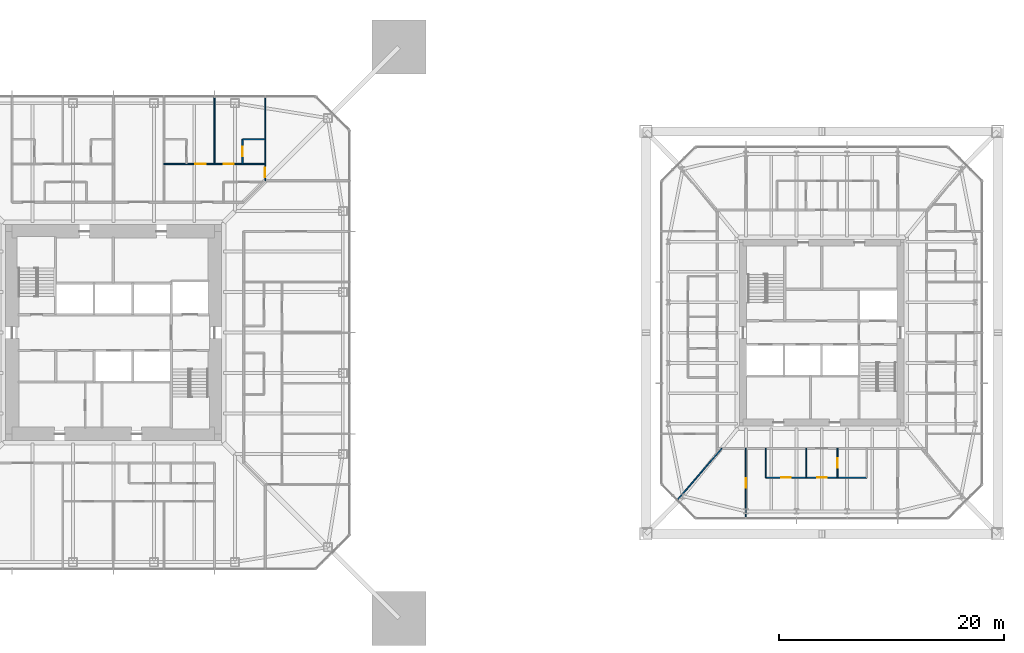
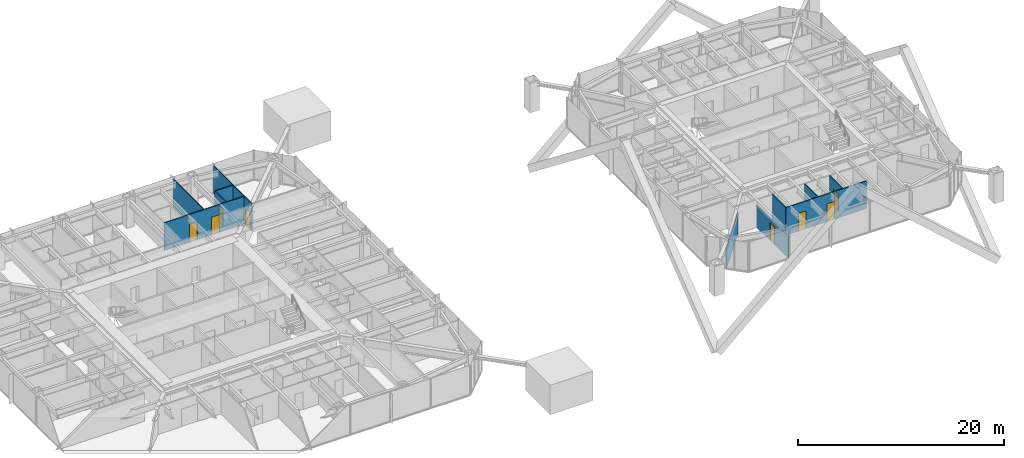
# One storey, part 16 of 25: 11 walls, 8 doors, 8 openings.
"""IFC4 building model written with IfcOpenShell, lengths in metres."""

from ifc_helpers import new_model, si_unit, direction, frame, frame_2d, origin, place, context, subcontext, project, spatial, rectangle, extrude, material, layer, layer_set, type_object, element, fill, save


model = new_model("IFC4")

# Units and contexts
model_context = context("Model", 3, precision=1e-05, world=origin(), true_north=direction((0.0, 1.0)))
body_context = subcontext(model_context, "Body", "Model", "MODEL_VIEW")
ifc_project = project(units=[si_unit("LENGTHUNIT", "METRE"), si_unit("AREAUNIT", "SQUARE_METRE"), si_unit("VOLUMEUNIT", "CUBIC_METRE"), si_unit("PLANEANGLEUNIT", "RADIAN"), si_unit("MASSUNIT", "GRAM", prefix="KILO")], contexts=[model_context])

# Site, building, storey
site_placement = place(None, origin())
site = spatial("IfcSite", under=ifc_project, at=site_placement, CompositionType="ELEMENT")
building_placement = place(site_placement, origin())
building = spatial("IfcBuilding", under=site, at=building_placement, Name="Iwan Alto Co-Living Towers", CompositionType="ELEMENT")
storey_placement = place(building_placement, frame((0.0, 0.0, 108.5)))
storey = spatial("IfcBuildingStorey", under=building, at=storey_placement, Name="L29", CompositionType="ELEMENT", Elevation=108.5)

# Wall, openings, doors
ifc_material_1 = material(Name="Gypsum board")
ifc_layer_1 = layer(ifc_material_1, 0.012451171875, Name="Board", Category="Finish")
ifc_material_2 = material(Name="Steel ASTM A1003 ST33H cold-formed studs", Category="steel")
ifc_layer_2 = layer(ifc_material_2, 0.074951171875, Name="Studs", Category="Framing")
ifc_layer_3 = layer(ifc_material_1, 0.012451171875, Name="Board", Category="Finish")
ifc_layer_set_1 = layer_set([ifc_layer_1, ifc_layer_2, ifc_layer_3], Name="PARTITION 100")
wall_type_1 = type_object("IfcWallType", Name="PARTITION 100", PredefinedType="PARTITIONING", material=ifc_layer_set_1)
wall_1_placement = place(storey_placement, frame((58.0, -12.89990234375, 0.0), z_axis=(0.0, 0.0, 1.0), x_axis=(1.0, 0.0, 0.0)))
wall_1 = element("IfcWall", 1, at=wall_1_placement, inside=storey, type_object=wall_type_1, Name="Partition L29", PredefinedType="PARTITIONING", context=body_context, shape_type="SweptSolid", body=[
    extrude(rectangle(XDim=9.0, YDim=0.10009765625, at=frame_2d((4.5, 0.0))), origin(), (0.0, 0.0, 1.0), 3.27001953125),
])
opening_1_placement = place(wall_1_placement, frame((1.375, 0.0, 0.0)))
opening_1 = element("IfcOpeningElement", 2, at=opening_1_placement, cuts=wall_1, Name="Opening D2", PredefinedType="OPENING", context=body_context, shape_type="SweptSolid", body=[
    extrude(rectangle(XDim=0.85009765625, YDim=2.10009765625, at=frame_2d((0.425048828125, 1.050048828125))), frame((0.0, 0.06005859375, 0.0), z_axis=(0.0, -1.0, 0.0), x_axis=(1.0, 0.0, 0.0)), (0.0, 0.0, 1.0), 0.1201171875),
])
opening_2_placement = place(wall_1_placement, frame((4.574951171875, 0.0, 0.0)))
opening_2 = element("IfcOpeningElement", 3, at=opening_2_placement, cuts=wall_1, Name="Opening D2", PredefinedType="OPENING", context=body_context, shape_type="SweptSolid", body=[
    extrude(rectangle(XDim=0.85009765625, YDim=2.10009765625, at=frame_2d((0.425048828125, 1.050048828125))), frame((0.0, 0.06005859375, 0.0), z_axis=(0.0, -1.0, 0.0), x_axis=(1.0, 0.0, 0.0)), (0.0, 0.0, 1.0), 0.1201171875),
])
ifc_material_3 = material(Name="Timber leaf in steel frame", Category="steel")
door_type_1 = type_object("IfcDoorType", Name="ROOM DOOR 850X2100", OperationType="SINGLE_SWING_LEFT", PredefinedType="DOOR", material=ifc_material_3)
door_1_placement = place(opening_1_placement, frame((0.85009765625, 0.0, 0.0), z_axis=(0.0, 0.0, 1.0), x_axis=(-1.0, 0.0, 0.0)))
door_1 = element("IfcDoor", 4, at=door_1_placement, inside=storey, type_object=door_type_1, Name="Kitchen door L29", OperationType="SINGLE_SWING_RIGHT", OverallHeight=2.10009765625, OverallWidth=0.85009765625, PredefinedType="DOOR", context=body_context, shape_type="SweptSolid", body=[
    extrude(rectangle(XDim=0.85009765625, YDim=2.10009765625, at=frame_2d((0.425048828125, 1.050048828125))), frame((0.0, 0.02490234375, 0.0), z_axis=(0.0, -1.0, 0.0), x_axis=(1.0, 0.0, 0.0)), (0.0, 0.0, 1.0), 0.050048828125),
])
fill(opening_1, door_1)
door_2_placement = place(opening_2_placement, frame((0.85009765625, 0.0, 0.0), z_axis=(0.0, 0.0, 1.0), x_axis=(-1.0, 0.0, 0.0)))
door_2 = element("IfcDoor", 5, at=door_2_placement, inside=storey, type_object=door_type_1, Name="Apartment foyer door L29", OperationType="SINGLE_SWING_RIGHT", OverallHeight=2.10009765625, OverallWidth=0.85009765625, PredefinedType="DOOR", context=body_context, shape_type="SweptSolid", body=[
    extrude(rectangle(XDim=0.85009765625, YDim=2.10009765625, at=frame_2d((0.425048828125, 1.050048828125))), frame((0.0, 0.02490234375, 0.0), z_axis=(0.0, -1.0, 0.0), x_axis=(1.0, 0.0, 0.0)), (0.0, 0.0, 1.0), 0.050048828125),
])
fill(opening_2, door_2)

wall_2_placement = place(storey_placement, frame((4.5, 15.0, 0.0), z_axis=(0.0, 0.0, 1.0), x_axis=(1.0, 0.0, 0.0)))
wall_2 = element("IfcWall", 6, at=wall_2_placement, inside=storey, type_object=wall_type_1, Name="Partition L29", PredefinedType="PARTITIONING", context=body_context, shape_type="SweptSolid", body=[
    extrude(rectangle(XDim=9.0, YDim=0.10009765625, at=frame_2d((4.5, 0.0))), origin(), (0.0, 0.0, 1.0), 3.27001953125),
])
opening_3_placement = place(wall_2_placement, frame((5.300048828125, 0.0, 0.0)))
opening_3 = element("IfcOpeningElement", 7, at=opening_3_placement, cuts=wall_2, Name="Opening D1", PredefinedType="OPENING", context=body_context, shape_type="SweptSolid", body=[
    extrude(rectangle(XDim=0.89990234375, YDim=2.10009765625, at=frame_2d((0.449951171875, 1.050048828125))), frame((0.0, 0.06005859375, 0.0), z_axis=(0.0, -1.0, 0.0), x_axis=(1.0, 0.0, 0.0)), (0.0, 0.0, 1.0), 0.1201171875),
])
opening_4_placement = place(wall_2_placement, frame((2.800048828125, 0.0, 0.0)))
opening_4 = element("IfcOpeningElement", 8, at=opening_4_placement, cuts=wall_2, Name="Opening D1", PredefinedType="OPENING", context=body_context, shape_type="SweptSolid", body=[
    extrude(rectangle(XDim=0.89990234375, YDim=2.10009765625, at=frame_2d((0.449951171875, 1.050048828125))), frame((0.0, 0.06005859375, 0.0), z_axis=(0.0, -1.0, 0.0), x_axis=(1.0, 0.0, 0.0)), (0.0, 0.0, 1.0), 0.1201171875),
])
ifc_material_4 = material(Name="Timber leaf in steel frame", Category="steel")
door_type_2 = type_object("IfcDoorType", Name="BEDROOM DOOR 900X2100", OperationType="SINGLE_SWING_LEFT", PredefinedType="DOOR", material=ifc_material_4)
door_3_placement = place(opening_3_placement, frame((0.89990234375, 0.0, 0.0), z_axis=(0.0, 0.0, 1.0), x_axis=(-1.0, 0.0, 0.0)))
door_3 = element("IfcDoor", 9, at=door_3_placement, inside=storey, type_object=door_type_2, Name="Study bedroom door L29", OperationType="SINGLE_SWING_LEFT", OverallHeight=2.10009765625, OverallWidth=0.89990234375, PredefinedType="DOOR", context=body_context, shape_type="SweptSolid", body=[
    extrude(rectangle(XDim=0.89990234375, YDim=2.10009765625, at=frame_2d((0.449951171875, 1.050048828125))), frame((0.0, 0.02490234375, 0.0), z_axis=(0.0, -1.0, 0.0), x_axis=(1.0, 0.0, 0.0)), (0.0, 0.0, 1.0), 0.050048828125),
])
fill(opening_3, door_3)
door_4_placement = place(opening_4_placement, frame((0.89990234375, 0.0, 0.0), z_axis=(0.0, 0.0, 1.0), x_axis=(-1.0, 0.0, 0.0)))
door_4 = element("IfcDoor", 10, at=door_4_placement, inside=storey, type_object=door_type_2, Name="Study bedroom door L29", OperationType="SINGLE_SWING_RIGHT", OverallHeight=2.10009765625, OverallWidth=0.89990234375, PredefinedType="DOOR", context=body_context, shape_type="SweptSolid", body=[
    extrude(rectangle(XDim=0.89990234375, YDim=2.10009765625, at=frame_2d((0.449951171875, 1.050048828125))), frame((0.0, 0.02490234375, 0.0), z_axis=(0.0, -1.0, 0.0), x_axis=(1.0, 0.0, 0.0)), (0.0, 0.0, 1.0), 0.050048828125),
])
fill(opening_4, door_4)

# Walls
wall_3_placement = place(storey_placement, frame((50.179931640625, -14.844970703125, 0.0), z_axis=(0.0, 0.0, 1.0), x_axis=(0.653585997703, 0.756852260092, 0.0)))
element("IfcWall", 11, at=wall_3_placement, inside=storey, type_object=wall_type_1, Name="Partition L29", PredefinedType="PARTITIONING", context=body_context, shape_type="SweptSolid", body=[
    extrude(rectangle(XDim=6.005126953125, YDim=0.10009765625, at=frame_2d((3.00244140625, 0.0))), origin(), (0.0, 0.0, 1.0), 2.42919921875),
])
for number, where, z_axis, x_axis, name in (
    (12, (61.60009765625, -12.89990234375, 0.0), (0.0, 0.0, 1.0), (0.0, 1.0, 0.0), "Partition L29"),
    (13, (58.0, -12.89990234375, 0.0), (0.0, 0.0, 1.0), (0.0, 1.0, 0.0), "Partition L29"),
):
    element("IfcWall", number, at=place(storey_placement, frame(where, z_axis=z_axis, x_axis=x_axis)), inside=storey, type_object=wall_type_1, Name=name, PredefinedType="PARTITIONING", context=body_context, shape_type="SweptSolid", body=[
        extrude(rectangle(XDim=2.599853515625, YDim=0.10009765625, at=frame_2d((1.2998046875, 0.0))), origin(), (0.0, 0.0, 1.0), 3.27001953125),
    ])

# Wall, opening, door
wall_4_placement = place(storey_placement, frame((56.25, -16.43994140625, 0.0), z_axis=(0.0, 0.0, 1.0), x_axis=(0.0, 1.0, 0.0)))
wall_4 = element("IfcWall", 14, at=wall_4_placement, inside=storey, type_object=wall_type_1, Name="Partition L29", PredefinedType="PARTITIONING", context=body_context, shape_type="SweptSolid", body=[
    extrude(rectangle(XDim=6.139892578125, YDim=0.10009765625, at=frame_2d((3.06982421875, 0.0))), origin(), (0.0, 0.0, 1.0), 2.586669921875),
])
opening_5_placement = place(wall_4_placement, frame((2.64501953125, 0.0, 0.0)))
opening_5 = element("IfcOpeningElement", 15, at=opening_5_placement, cuts=wall_4, Name="Opening D2", PredefinedType="OPENING", context=body_context, shape_type="SweptSolid", body=[
    extrude(rectangle(XDim=0.85009765625, YDim=2.10009765625, at=frame_2d((0.425048828125, 1.050048828125))), frame((0.0, 0.06005859375, 0.0), z_axis=(0.0, -1.0, 0.0), x_axis=(1.0, 0.0, 0.0)), (0.0, 0.0, 1.0), 0.1201171875),
])
door_5_placement = place(opening_5_placement, frame((0.85009765625, 0.0, 0.0), z_axis=(0.0, 0.0, 1.0), x_axis=(-1.0, 0.0, 0.0)))
door_5 = element("IfcDoor", 16, at=door_5_placement, inside=storey, type_object=door_type_1, Name="Bedroom door L29", OperationType="SINGLE_SWING_LEFT", OverallHeight=2.10009765625, OverallWidth=0.85009765625, PredefinedType="DOOR", context=body_context, shape_type="SweptSolid", body=[
    extrude(rectangle(XDim=0.85009765625, YDim=2.10009765625, at=frame_2d((0.425048828125, 1.050048828125))), frame((0.0, 0.02490234375, 0.0), z_axis=(0.0, -1.0, 0.0), x_axis=(1.0, 0.0, 0.0)), (0.0, 0.0, 1.0), 0.050048828125),
])
fill(opening_5, door_5)

wall_5_placement = place(storey_placement, frame((13.5, 13.5, 0.0), z_axis=(0.0, 0.0, 1.0), x_axis=(0.0, 1.0, 0.0)))
wall_5 = element("IfcWall", 17, at=wall_5_placement, inside=storey, type_object=wall_type_1, Name="Partition L29", PredefinedType="PARTITIONING", context=body_context, shape_type="SweptSolid", body=[
    extrude(rectangle(XDim=7.43994140625, YDim=0.10009765625, at=frame_2d((3.719970703125, 0.0))), origin(), (0.0, 0.0, 1.0), 3.27001953125),
])
opening_6_placement = place(wall_5_placement, frame((0.324951171875, 0.0, 0.0)))
opening_6 = element("IfcOpeningElement", 18, at=opening_6_placement, cuts=wall_5, Name="Opening D2", PredefinedType="OPENING", context=body_context, shape_type="SweptSolid", body=[
    extrude(rectangle(XDim=0.85009765625, YDim=2.10009765625, at=frame_2d((0.425048828125, 1.050048828125))), frame((0.0, 0.06005859375, 0.0), z_axis=(0.0, -1.0, 0.0), x_axis=(1.0, 0.0, 0.0)), (0.0, 0.0, 1.0), 0.1201171875),
])
door_6_placement = place(opening_6_placement, frame((0.85009765625, 0.0, 0.0), z_axis=(0.0, 0.0, 1.0), x_axis=(-1.0, 0.0, 0.0)))
door_6 = element("IfcDoor", 19, at=door_6_placement, inside=storey, type_object=door_type_1, Name="Shared kitchen and lounge door L29", OperationType="SINGLE_SWING_RIGHT", OverallHeight=2.10009765625, OverallWidth=0.85009765625, PredefinedType="DOOR", context=body_context, shape_type="SweptSolid", body=[
    extrude(rectangle(XDim=0.85009765625, YDim=2.10009765625, at=frame_2d((0.425048828125, 1.050048828125))), frame((0.0, 0.02490234375, 0.0), z_axis=(0.0, -1.0, 0.0), x_axis=(1.0, 0.0, 0.0)), (0.0, 0.0, 1.0), 0.050048828125),
])
fill(opening_6, door_6)

# Walls
wall_6_placement = place(storey_placement, frame((9.0, 15.0, 0.0), z_axis=(0.0, 0.0, 1.0), x_axis=(0.0, 1.0, 0.0)))
element("IfcWall", 20, at=wall_6_placement, inside=storey, type_object=wall_type_1, Name="Partition L29", PredefinedType="PARTITIONING", context=body_context, shape_type="SweptSolid", body=[
    extrude(rectangle(XDim=5.93994140625, YDim=0.10009765625, at=frame_2d((2.969970703125, 0.0))), origin(), (0.0, 0.0, 1.0), 3.27001953125),
])
ifc_material_5 = material(Name="Cement board")
ifc_layer_4 = layer(ifc_material_5, 0.012451171875, Name="Board", Category="Finish")
ifc_layer_5 = layer(ifc_material_2, 0.094970703125, Name="Studs", Category="Framing")
ifc_layer_6 = layer(ifc_material_5, 0.012451171875, Name="Board", Category="Finish")
ifc_layer_set_2 = layer_set([ifc_layer_4, ifc_layer_5, ifc_layer_6], Name="WET AREA PARTITION 120")
wall_type_2 = type_object("IfcWallType", Name="WET AREA PARTITION 120", PredefinedType="PARTITIONING", material=ifc_layer_set_2)
wall_7_placement = place(storey_placement, frame((11.5, 17.199951171875, 0.0), z_axis=(0.0, 0.0, 1.0), x_axis=(1.0, 0.0, 0.0)))
element("IfcWall", 21, at=wall_7_placement, inside=storey, type_object=wall_type_2, Name="Partition L29", PredefinedType="PARTITIONING", context=body_context, shape_type="SweptSolid", body=[
    extrude(rectangle(XDim=2.0, YDim=0.1201171875, at=frame_2d((1.0, 0.0))), origin(), (0.0, 0.0, 1.0), 3.27001953125),
])

# Wall, opening, door
wall_8_placement = place(storey_placement, frame((64.39990234375, -12.89990234375, 0.0), z_axis=(0.0, 0.0, 1.0), x_axis=(0.0, 1.0, 0.0)))
wall_8 = element("IfcWall", 22, at=wall_8_placement, inside=storey, type_object=wall_type_2, Name="Partition L29", PredefinedType="PARTITIONING", context=body_context, shape_type="SweptSolid", body=[
    extrude(rectangle(XDim=2.599853515625, YDim=0.1201171875, at=frame_2d((1.2998046875, 0.0))), origin(), (0.0, 0.0, 1.0), 3.27001953125),
])
opening_7_placement = place(wall_8_placement, frame((0.875, 0.0, 0.0)))
opening_7 = element("IfcOpeningElement", 23, at=opening_7_placement, cuts=wall_8, Name="Opening D2", PredefinedType="OPENING", context=body_context, shape_type="SweptSolid", body=[
    extrude(rectangle(XDim=0.85009765625, YDim=2.10009765625, at=frame_2d((0.425048828125, 1.050048828125))), frame((0.0, 0.070068359375, 0.0), z_axis=(0.0, -1.0, 0.0), x_axis=(1.0, 0.0, 0.0)), (0.0, 0.0, 1.0), 0.14013671875),
])
door_7_placement = place(opening_7_placement, frame((0.85009765625, 0.0, 0.0), z_axis=(0.0, 0.0, 1.0), x_axis=(-1.0, 0.0, 0.0)))
door_7 = element("IfcDoor", 24, at=door_7_placement, inside=storey, type_object=door_type_1, Name="Bathroom door L29", OperationType="SINGLE_SWING_RIGHT", OverallHeight=2.10009765625, OverallWidth=0.85009765625, PredefinedType="DOOR", context=body_context, shape_type="SweptSolid", body=[
    extrude(rectangle(XDim=0.85009765625, YDim=2.10009765625, at=frame_2d((0.425048828125, 1.050048828125))), frame((0.0, 0.02490234375, 0.0), z_axis=(0.0, -1.0, 0.0), x_axis=(1.0, 0.0, 0.0)), (0.0, 0.0, 1.0), 0.050048828125),
])
fill(opening_7, door_7)

wall_9_placement = place(storey_placement, frame((11.5, 15.0, 0.0), z_axis=(0.0, 0.0, 1.0), x_axis=(0.0, 1.0, 0.0)))
wall_9 = element("IfcWall", 25, at=wall_9_placement, inside=storey, type_object=wall_type_2, Name="Partition L29", PredefinedType="PARTITIONING", context=body_context, shape_type="SweptSolid", body=[
    extrude(rectangle(XDim=2.199951171875, YDim=0.1201171875, at=frame_2d((1.10009765625, 0.0))), origin(), (0.0, 0.0, 1.0), 3.27001953125),
])
opening_8_placement = place(wall_9_placement, frame((0.675048828125, 0.0, 0.0)))
opening_8 = element("IfcOpeningElement", 26, at=opening_8_placement, cuts=wall_9, Name="Opening D2", PredefinedType="OPENING", context=body_context, shape_type="SweptSolid", body=[
    extrude(rectangle(XDim=0.85009765625, YDim=2.10009765625, at=frame_2d((0.425048828125, 1.050048828125))), frame((0.0, 0.070068359375, 0.0), z_axis=(0.0, -1.0, 0.0), x_axis=(1.0, 0.0, 0.0)), (0.0, 0.0, 1.0), 0.14013671875),
])
door_8_placement = place(opening_8_placement, origin())
door_8 = element("IfcDoor", 27, at=door_8_placement, inside=storey, type_object=door_type_1, Name="En-suite shower room door L29", OperationType="SINGLE_SWING_LEFT", OverallHeight=2.10009765625, OverallWidth=0.85009765625, PredefinedType="DOOR", context=body_context, shape_type="SweptSolid", body=[
    extrude(rectangle(XDim=0.85009765625, YDim=2.10009765625, at=frame_2d((0.425048828125, 1.050048828125))), frame((0.0, 0.02490234375, 0.0), z_axis=(0.0, -1.0, 0.0), x_axis=(1.0, 0.0, 0.0)), (0.0, 0.0, 1.0), 0.050048828125),
])
fill(opening_8, door_8)

save(model, "model.ifc")
